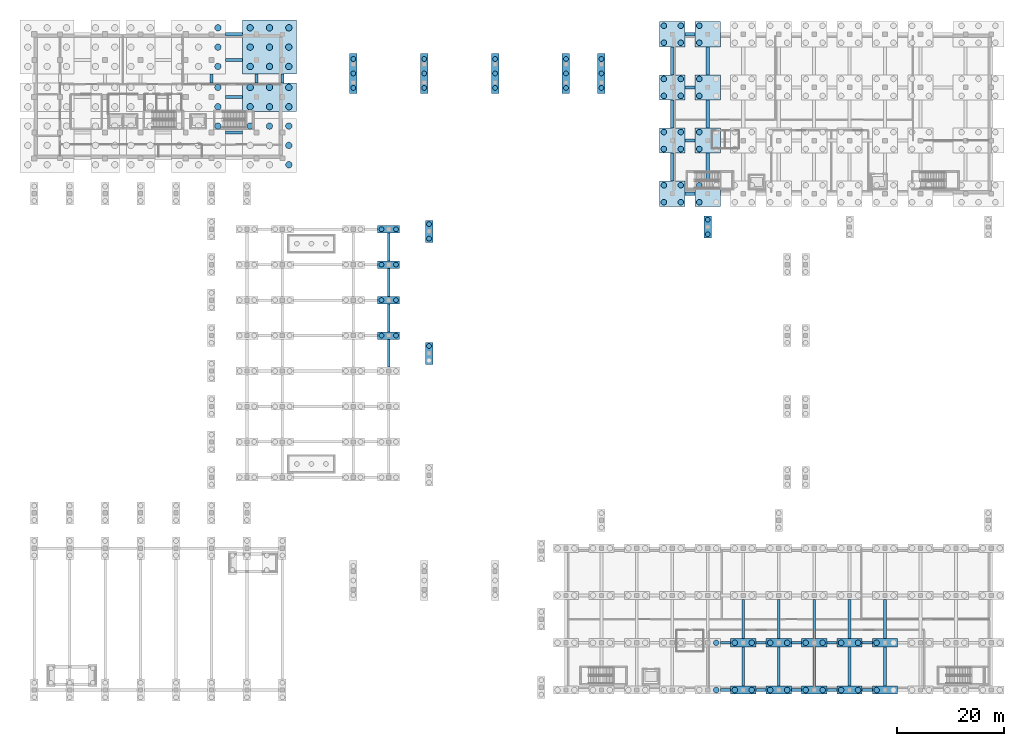
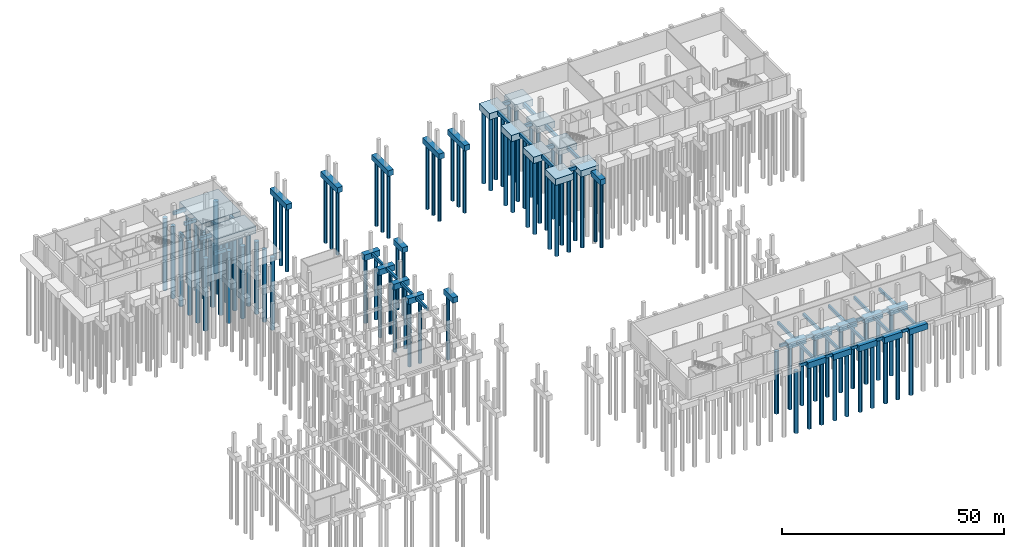
# One storey, part 4 of 23: 98 piles, 73 footings.
"""IFC4 building model written with IfcOpenShell, lengths in metres."""

from ifc_helpers import new_model, si_unit, direction, frame, origin, origin_2d, place, context, subcontext, project, spatial, rectangle, circle, extrude, material, material_profile, profile_set, type_object, element, save


model = new_model("IFC4")

# Units and contexts
model_context = context("Model", 3, precision=1e-05, world=origin(), true_north=direction((0.0, 1.0)))
body_context = subcontext(model_context, "Body", "Model", "MODEL_VIEW")
ifc_project = project(units=[si_unit("LENGTHUNIT", "METRE"), si_unit("AREAUNIT", "SQUARE_METRE"), si_unit("VOLUMEUNIT", "CUBIC_METRE"), si_unit("PLANEANGLEUNIT", "RADIAN"), si_unit("MASSUNIT", "GRAM", prefix="KILO")], contexts=[model_context])

# Site, building, storey
site_placement = place(None, origin())
site = spatial("IfcSite", under=ifc_project, at=site_placement, CompositionType="ELEMENT")
building_placement = place(site_placement, origin())
building = spatial("IfcBuilding", under=site, at=building_placement, Name="Dornvale Research Institute", CompositionType="ELEMENT")
storey_placement = place(building_placement, frame((0.0, 0.0, -5.39990234375)))
storey = spatial("IfcBuildingStorey", under=building, at=storey_placement, Name="B1", CompositionType="ELEMENT", Elevation=-5.39990234375)

# Piles
ifc_material_1 = material(Name="Concrete f'c 35 MPa (C30/37)", Category="concrete")
ifc_material_profile_1 = material_profile(ifc_material_1, circle(Radius=0.52490234375, at=origin_2d()), Name="CIDH PILE D1050")
ifc_profile_set_1 = profile_set([ifc_material_profile_1], Name="Concrete f'c 35 MPa (C30/37)")
pile_type_1 = type_object("IfcPileType", Name="BoredPile_CIDH_1050", PredefinedType="BORED", material=ifc_profile_set_1)
for number, where, z_axis, x_axis, name in (
    (1, (126.97509765625, 0.0, -1.97998046875), (0.0, 0.0, -1.0), (1.0, 0.0, 0.0), "CIDH bored pile P-02 #28"),
    (2, (130.425048828125, 0.0, -1.97998046875), (0.0, 0.0, -1.0), (1.0, 0.0, 0.0), "CIDH bored pile P-02 #29"),
    (3, (133.574951171875, 0.0, -1.97998046875), (0.0, 0.0, -1.0), (1.0, 0.0, 0.0), "CIDH bored pile P-02 #30"),
    (4, (137.02490234375, 0.0, -1.97998046875), (0.0, 0.0, -1.0), (1.0, 0.0, 0.0), "CIDH bored pile P-02 #31"),
    (5, (140.175048828125, 0.0, -1.97998046875), (0.0, 0.0, -1.0), (1.0, 0.0, 0.0), "CIDH bored pile P-02 #32"),
    (6, (143.625, 0.0, -1.97998046875), (0.0, 0.0, -1.0), (1.0, 0.0, 0.0), "CIDH bored pile P-02 #33"),
    (7, (146.77490234375, 0.0, -1.97998046875), (0.0, 0.0, -1.0), (1.0, 0.0, 0.0), "CIDH bored pile P-02 #34"),
    (8, (150.22509765625, 0.0, -1.97998046875), (0.0, 0.0, -1.0), (1.0, 0.0, 0.0), "CIDH bored pile P-02 #35"),
    (9, (153.375, 0.0, -1.97998046875), (0.0, 0.0, -1.0), (1.0, 0.0, 0.0), "CIDH bored pile P-02 #36"),
    (10, (156.824951171875, 0.0, -1.97998046875), (0.0, 0.0, -1.0), (1.0, 0.0, 0.0), "CIDH bored pile P-02 #37"),
    (11, (126.97509765625, 8.804931640625, -1.97998046875), (0.0, 0.0, -1.0), (1.0, 0.0, 0.0), "CIDH bored pile P-02 #54"),
    (12, (130.425048828125, 8.804931640625, -1.97998046875), (0.0, 0.0, -1.0), (1.0, 0.0, 0.0), "CIDH bored pile P-02 #55"),
    (13, (133.574951171875, 8.804931640625, -1.97998046875), (0.0, 0.0, -1.0), (1.0, 0.0, 0.0), "CIDH bored pile P-02 #56"),
    (14, (137.02490234375, 8.804931640625, -1.97998046875), (0.0, 0.0, -1.0), (1.0, 0.0, 0.0), "CIDH bored pile P-02 #57"),
    (15, (140.175048828125, 8.804931640625, -1.97998046875), (0.0, 0.0, -1.0), (1.0, 0.0, 0.0), "CIDH bored pile P-02 #58"),
    (16, (143.625, 8.804931640625, -1.97998046875), (0.0, 0.0, -1.0), (1.0, 0.0, 0.0), "CIDH bored pile P-02 #59"),
    (17, (146.77490234375, 8.804931640625, -1.97998046875), (0.0, 0.0, -1.0), (1.0, 0.0, 0.0), "CIDH bored pile P-02 #60"),
    (18, (150.22509765625, 8.804931640625, -1.97998046875), (0.0, 0.0, -1.0), (1.0, 0.0, 0.0), "CIDH bored pile P-02 #61"),
    (19, (153.375, 8.804931640625, -1.97998046875), (0.0, 0.0, -1.0), (1.0, 0.0, 0.0), "CIDH bored pile P-02 #62"),
    (20, (156.824951171875, 8.804931640625, -1.97998046875), (0.0, 0.0, -1.0), (1.0, 0.0, 0.0), "CIDH bored pile P-02 #63"),
):
    element("IfcPile", number, at=place(storey_placement, frame(where, z_axis=z_axis, x_axis=x_axis)), inside=storey, type_object=pile_type_1, Name=name, PredefinedType="BORED", context=body_context, shape_type="SweptSolid", body=[
        extrude(circle(Radius=0.52490234375, at=origin_2d()), origin(), (0.0, 0.0, 1.0), 17.1201171875),
    ])
for number, where, z_axis, x_axis, name in (
    (21, (117.22509765625, 90.824951171875, -2.130126953125), (0.0, 0.0, -1.0), (1.0, 0.0, 0.0), "CIDH bored pile P-02 #255"),
    (22, (117.22509765625, 93.97509765625, -2.130126953125), (0.0, 0.0, -1.0), (1.0, 0.0, 0.0), "CIDH bored pile P-02 #256"),
    (23, (120.375, 90.824951171875, -2.130126953125), (0.0, 0.0, -1.0), (1.0, 0.0, 0.0), "CIDH bored pile P-02 #257"),
    (24, (120.375, 93.97509765625, -2.130126953125), (0.0, 0.0, -1.0), (1.0, 0.0, 0.0), "CIDH bored pile P-02 #258"),
    (25, (123.824951171875, 90.824951171875, -2.130126953125), (0.0, 0.0, -1.0), (1.0, 0.0, 0.0), "CIDH bored pile P-02 #259"),
    (26, (123.824951171875, 93.97509765625, -2.130126953125), (0.0, 0.0, -1.0), (1.0, 0.0, 0.0), "CIDH bored pile P-02 #260"),
    (27, (117.22509765625, 100.72509765625, -2.130126953125), (0.0, 0.0, -1.0), (1.0, 0.0, 0.0), "CIDH bored pile P-02 #346"),
    (28, (117.22509765625, 103.875, -2.130126953125), (0.0, 0.0, -1.0), (1.0, 0.0, 0.0), "CIDH bored pile P-02 #347"),
    (29, (120.375, 100.72509765625, -2.130126953125), (0.0, 0.0, -1.0), (1.0, 0.0, 0.0), "CIDH bored pile P-02 #348"),
    (30, (120.375, 103.875, -2.130126953125), (0.0, 0.0, -1.0), (1.0, 0.0, 0.0), "CIDH bored pile P-02 #349"),
    (31, (123.824951171875, 100.72509765625, -2.130126953125), (0.0, 0.0, -1.0), (1.0, 0.0, 0.0), "CIDH bored pile P-02 #350"),
    (32, (123.824951171875, 103.875, -2.130126953125), (0.0, 0.0, -1.0), (1.0, 0.0, 0.0), "CIDH bored pile P-02 #351"),
    (33, (117.22509765625, 110.625, -2.130126953125), (0.0, 0.0, -1.0), (1.0, 0.0, 0.0), "CIDH bored pile P-02 #410"),
    (34, (117.22509765625, 113.77490234375, -2.130126953125), (0.0, 0.0, -1.0), (1.0, 0.0, 0.0), "CIDH bored pile P-02 #411"),
    (35, (120.375, 110.625, -2.130126953125), (0.0, 0.0, -1.0), (1.0, 0.0, 0.0), "CIDH bored pile P-02 #412"),
    (36, (120.375, 113.77490234375, -2.130126953125), (0.0, 0.0, -1.0), (1.0, 0.0, 0.0), "CIDH bored pile P-02 #413"),
    (37, (123.824951171875, 110.625, -2.130126953125), (0.0, 0.0, -1.0), (1.0, 0.0, 0.0), "CIDH bored pile P-02 #414"),
    (38, (123.824951171875, 113.77490234375, -2.130126953125), (0.0, 0.0, -1.0), (1.0, 0.0, 0.0), "CIDH bored pile P-02 #415"),
    (39, (117.22509765625, 120.52490234375, -2.130126953125), (0.0, 0.0, -1.0), (1.0, 0.0, 0.0), "CIDH bored pile P-02 #487"),
    (40, (117.22509765625, 123.675048828125, -2.130126953125), (0.0, 0.0, -1.0), (1.0, 0.0, 0.0), "CIDH bored pile P-02 #488"),
    (41, (120.375, 120.52490234375, -2.130126953125), (0.0, 0.0, -1.0), (1.0, 0.0, 0.0), "CIDH bored pile P-02 #489"),
    (42, (120.375, 123.675048828125, -2.130126953125), (0.0, 0.0, -1.0), (1.0, 0.0, 0.0), "CIDH bored pile P-02 #490"),
    (43, (123.824951171875, 120.52490234375, -2.130126953125), (0.0, 0.0, -1.0), (1.0, 0.0, 0.0), "CIDH bored pile P-02 #491"),
    (44, (123.824951171875, 123.675048828125, -2.130126953125), (0.0, 0.0, -1.0), (1.0, 0.0, 0.0), "CIDH bored pile P-02 #492"),
):
    element("IfcPile", number, at=place(storey_placement, frame(where, z_axis=z_axis, x_axis=x_axis)), inside=storey, type_object=pile_type_1, Name=name, PredefinedType="BORED", context=body_context, shape_type="SweptSolid", body=[
        extrude(circle(Radius=0.52490234375, at=origin_2d()), origin(), (0.0, 0.0, 1.0), 19.969970703125),
    ])
ifc_material_2 = material(Name="Concrete f'c 35 MPa (C30/37)", Category="concrete")
ifc_material_profile_2 = material_profile(ifc_material_2, circle(Radius=0.60009765625, at=origin_2d()), Name="CIDH PILE D1200")
ifc_profile_set_2 = profile_set([ifc_material_profile_2], Name="Concrete f'c 35 MPa (C30/37)")
pile_type_2 = type_object("IfcPileType", Name="BoredPile_CIDH_1200", PredefinedType="BORED", material=ifc_profile_set_2)
for number, where, z_axis, x_axis, name in (
    (45, (34.199951171875, 105.0, -2.280029296875), (0.0, 0.0, -1.0), (1.0, 0.0, 0.0), "CIDH bored pile P-01 #336"),
    (46, (40.199951171875, 105.0, -2.280029296875), (0.0, 0.0, -1.0), (1.0, 0.0, 0.0), "CIDH bored pile P-01 #339"),
    (47, (43.800048828125, 105.0, -2.280029296875), (0.0, 0.0, -1.0), (1.0, 0.0, 0.0), "CIDH bored pile P-01 #342"),
    (48, (47.39990234375, 97.800048828125, -2.280029296875), (0.0, 0.0, -1.0), (1.0, 0.0, 0.0), "CIDH bored pile P-01 #343"),
    (49, (47.39990234375, 101.39990234375, -2.280029296875), (0.0, 0.0, -1.0), (1.0, 0.0, 0.0), "CIDH bored pile P-01 #344"),
    (50, (47.39990234375, 105.0, -2.280029296875), (0.0, 0.0, -1.0), (1.0, 0.0, 0.0), "CIDH bored pile P-01 #345"),
    (51, (34.199951171875, 108.60009765625, -2.280029296875), (0.0, 0.0, -1.0), (1.0, 0.0, 0.0), "CIDH bored pile P-01 #402"),
    (52, (34.199951171875, 112.199951171875, -2.280029296875), (0.0, 0.0, -1.0), (1.0, 0.0, 0.0), "CIDH bored pile P-01 #403"),
    (53, (40.199951171875, 108.60009765625, -2.280029296875), (0.0, 0.0, -1.0), (1.0, 0.0, 0.0), "CIDH bored pile P-01 #404"),
    (54, (40.199951171875, 112.199951171875, -2.280029296875), (0.0, 0.0, -1.0), (1.0, 0.0, 0.0), "CIDH bored pile P-01 #405"),
    (55, (43.800048828125, 108.60009765625, -2.280029296875), (0.0, 0.0, -1.0), (1.0, 0.0, 0.0), "CIDH bored pile P-01 #406"),
    (56, (43.800048828125, 112.199951171875, -2.280029296875), (0.0, 0.0, -1.0), (1.0, 0.0, 0.0), "CIDH bored pile P-01 #407"),
    (57, (47.39990234375, 108.60009765625, -2.280029296875), (0.0, 0.0, -1.0), (1.0, 0.0, 0.0), "CIDH bored pile P-01 #408"),
    (58, (47.39990234375, 112.199951171875, -2.280029296875), (0.0, 0.0, -1.0), (1.0, 0.0, 0.0), "CIDH bored pile P-01 #409"),
    (59, (34.199951171875, 116.10009765625, -2.280029296875), (0.0, 0.0, -1.0), (1.0, 0.0, 0.0), "CIDH bored pile P-01 #475"),
    (60, (34.199951171875, 119.699951171875, -2.280029296875), (0.0, 0.0, -1.0), (1.0, 0.0, 0.0), "CIDH bored pile P-01 #476"),
    (61, (34.199951171875, 123.300048828125, -2.280029296875), (0.0, 0.0, -1.0), (1.0, 0.0, 0.0), "CIDH bored pile P-01 #477"),
    (62, (40.199951171875, 116.10009765625, -2.280029296875), (0.0, 0.0, -1.0), (1.0, 0.0, 0.0), "CIDH bored pile P-01 #478"),
    (63, (40.199951171875, 119.699951171875, -2.280029296875), (0.0, 0.0, -1.0), (1.0, 0.0, 0.0), "CIDH bored pile P-01 #479"),
    (64, (40.199951171875, 123.300048828125, -2.280029296875), (0.0, 0.0, -1.0), (1.0, 0.0, 0.0), "CIDH bored pile P-01 #480"),
    (65, (43.800048828125, 116.10009765625, -2.280029296875), (0.0, 0.0, -1.0), (1.0, 0.0, 0.0), "CIDH bored pile P-01 #481"),
    (66, (43.800048828125, 119.699951171875, -2.280029296875), (0.0, 0.0, -1.0), (1.0, 0.0, 0.0), "CIDH bored pile P-01 #482"),
    (67, (43.800048828125, 123.300048828125, -2.280029296875), (0.0, 0.0, -1.0), (1.0, 0.0, 0.0), "CIDH bored pile P-01 #483"),
    (68, (47.39990234375, 116.10009765625, -2.280029296875), (0.0, 0.0, -1.0), (1.0, 0.0, 0.0), "CIDH bored pile P-01 #484"),
    (69, (47.39990234375, 119.699951171875, -2.280029296875), (0.0, 0.0, -1.0), (1.0, 0.0, 0.0), "CIDH bored pile P-01 #485"),
    (70, (47.39990234375, 123.300048828125, -2.280029296875), (0.0, 0.0, -1.0), (1.0, 0.0, 0.0), "CIDH bored pile P-01 #486"),
):
    element("IfcPile", number, at=place(storey_placement, frame(where, z_axis=z_axis, x_axis=x_axis)), inside=storey, type_object=pile_type_2, Name=name, PredefinedType="BORED", context=body_context, shape_type="SweptSolid", body=[
        extrude(circle(Radius=0.60009765625, at=origin_2d()), origin(), (0.0, 0.0, 1.0), 19.820068359375),
    ])
ifc_material_3 = material(Name="Concrete f'c 35 MPa (C30/37)", Category="concrete")
ifc_material_profile_3 = material_profile(ifc_material_3, circle(Radius=0.449951171875, at=origin_2d()), Name="CIDH PILE D900")
ifc_profile_set_3 = profile_set([ifc_material_profile_3], Name="Concrete f'c 35 MPa (C30/37)")
pile_type_3 = type_object("IfcPileType", Name="BoredPile_CIDH_900", PredefinedType="BORED", material=ifc_profile_set_3)
pile_placement = place(storey_placement, frame((73.5, 64.050048828125, -1.380126953125), z_axis=(0.0, 0.0, -1.0), x_axis=(1.0, 0.0, 0.0)))
element("IfcPile", 71, at=pile_placement, inside=storey, type_object=pile_type_3, Name="CIDH bored pile P-03 #206", PredefinedType="BORED", context=body_context, shape_type="SweptSolid", body=[
    extrude(circle(Radius=0.449951171875, at=origin_2d()), origin(), (0.0, 0.0, 1.0), 17.719970703125),
])
for number, where, z_axis, x_axis, name in (
    (72, (64.64990234375, 66.0, -1.47998046875), (0.0, 0.0, -1.0), (1.0, 0.0, 0.0), "CIDH bored pile P-03 #215"),
    (73, (67.35009765625, 66.0, -1.47998046875), (0.0, 0.0, -1.0), (1.0, 0.0, 0.0), "CIDH bored pile P-03 #216"),
    (74, (64.64990234375, 72.60009765625, -1.47998046875), (0.0, 0.0, -1.0), (1.0, 0.0, 0.0), "CIDH bored pile P-03 #225"),
    (75, (67.35009765625, 72.60009765625, -1.47998046875), (0.0, 0.0, -1.0), (1.0, 0.0, 0.0), "CIDH bored pile P-03 #226"),
    (76, (64.64990234375, 79.199951171875, -1.47998046875), (0.0, 0.0, -1.0), (1.0, 0.0, 0.0), "CIDH bored pile P-03 #235"),
    (77, (67.35009765625, 79.199951171875, -1.47998046875), (0.0, 0.0, -1.0), (1.0, 0.0, 0.0), "CIDH bored pile P-03 #236"),
):
    element("IfcPile", number, at=place(storey_placement, frame(where, z_axis=z_axis, x_axis=x_axis)), inside=storey, type_object=pile_type_3, Name=name, PredefinedType="BORED", context=body_context, shape_type="SweptSolid", body=[
        extrude(circle(Radius=0.449951171875, at=origin_2d()), origin(), (0.0, 0.0, 1.0), 17.6201171875),
    ])
for number, where, z_axis, x_axis, name in (
    (78, (73.5, 84.050048828125, -1.380126953125), (0.0, 0.0, -1.0), (1.0, 0.0, 0.0), "CIDH bored pile P-03 #237"),
    (79, (73.5, 86.75, -1.380126953125), (0.0, 0.0, -1.0), (1.0, 0.0, 0.0), "CIDH bored pile P-03 #238"),
    (80, (125.39990234375, 84.85009765625, -1.380126953125), (0.0, 0.0, -1.0), (1.0, 0.0, 0.0), "CIDH bored pile P-03 #241"),
    (81, (125.39990234375, 87.550048828125, -1.380126953125), (0.0, 0.0, -1.0), (1.0, 0.0, 0.0), "CIDH bored pile P-03 #242"),
):
    element("IfcPile", number, at=place(storey_placement, frame(where, z_axis=z_axis, x_axis=x_axis)), inside=storey, type_object=pile_type_3, Name=name, PredefinedType="BORED", context=body_context, shape_type="SweptSolid", body=[
        extrude(circle(Radius=0.449951171875, at=origin_2d()), origin(), (0.0, 0.0, 1.0), 17.719970703125),
    ])
for number, where, z_axis, x_axis, name in (
    (82, (64.64990234375, 85.800048828125, -1.47998046875), (0.0, 0.0, -1.0), (1.0, 0.0, 0.0), "CIDH bored pile P-03 #253"),
    (83, (67.35009765625, 85.800048828125, -1.47998046875), (0.0, 0.0, -1.0), (1.0, 0.0, 0.0), "CIDH bored pile P-03 #254"),
):
    element("IfcPile", number, at=place(storey_placement, frame(where, z_axis=z_axis, x_axis=x_axis)), inside=storey, type_object=pile_type_3, Name=name, PredefinedType="BORED", context=body_context, shape_type="SweptSolid", body=[
        extrude(circle(Radius=0.449951171875, at=origin_2d()), origin(), (0.0, 0.0, 1.0), 17.6201171875),
    ])
for number, where, z_axis, x_axis, name in (
    (84, (59.39990234375, 112.10009765625, -1.380126953125), (0.0, 0.0, -1.0), (1.0, 0.0, 0.0), "Bridge CIDH bored pile P-03 #26"),
    (85, (59.39990234375, 114.800048828125, -1.380126953125), (0.0, 0.0, -1.0), (1.0, 0.0, 0.0), "Bridge CIDH bored pile P-03 #27"),
    (86, (59.39990234375, 117.5, -1.380126953125), (0.0, 0.0, -1.0), (1.0, 0.0, 0.0), "Bridge CIDH bored pile P-03 #28"),
    (87, (72.60009765625, 112.10009765625, -1.380126953125), (0.0, 0.0, -1.0), (1.0, 0.0, 0.0), "Bridge CIDH bored pile P-03 #29"),
    (88, (72.60009765625, 114.800048828125, -1.380126953125), (0.0, 0.0, -1.0), (1.0, 0.0, 0.0), "Bridge CIDH bored pile P-03 #30"),
    (89, (72.60009765625, 117.5, -1.380126953125), (0.0, 0.0, -1.0), (1.0, 0.0, 0.0), "Bridge CIDH bored pile P-03 #31"),
    (90, (85.800048828125, 112.10009765625, -1.380126953125), (0.0, 0.0, -1.0), (1.0, 0.0, 0.0), "Bridge CIDH bored pile P-03 #32"),
    (91, (85.800048828125, 114.800048828125, -1.380126953125), (0.0, 0.0, -1.0), (1.0, 0.0, 0.0), "Bridge CIDH bored pile P-03 #33"),
    (92, (85.800048828125, 117.5, -1.380126953125), (0.0, 0.0, -1.0), (1.0, 0.0, 0.0), "Bridge CIDH bored pile P-03 #34"),
    (93, (99.0, 112.10009765625, -1.380126953125), (0.0, 0.0, -1.0), (1.0, 0.0, 0.0), "Bridge CIDH bored pile P-03 #35"),
    (94, (99.0, 114.800048828125, -1.380126953125), (0.0, 0.0, -1.0), (1.0, 0.0, 0.0), "Bridge CIDH bored pile P-03 #36"),
    (95, (99.0, 117.5, -1.380126953125), (0.0, 0.0, -1.0), (1.0, 0.0, 0.0), "Bridge CIDH bored pile P-03 #37"),
    (96, (105.60009765625, 112.10009765625, -1.380126953125), (0.0, 0.0, -1.0), (1.0, 0.0, 0.0), "Bridge CIDH bored pile P-03 #38"),
    (97, (105.60009765625, 114.800048828125, -1.380126953125), (0.0, 0.0, -1.0), (1.0, 0.0, 0.0), "Bridge CIDH bored pile P-03 #39"),
    (98, (105.60009765625, 117.5, -1.380126953125), (0.0, 0.0, -1.0), (1.0, 0.0, 0.0), "Bridge CIDH bored pile P-03 #40"),
):
    element("IfcPile", number, at=place(storey_placement, frame(where, z_axis=z_axis, x_axis=x_axis)), inside=storey, type_object=pile_type_3, Name=name, PredefinedType="BORED", context=body_context, shape_type="SweptSolid", body=[
        extrude(circle(Radius=0.449951171875, at=origin_2d()), origin(), (0.0, 0.0, 1.0), 17.719970703125),
    ])

# Footings
ifc_material_4 = material(Name="Concrete f'c 35 MPa (C30/37)", Category="concrete")
footing_type_1 = type_object("IfcFootingType", Name="FootingBeam_Tie_500x800", PredefinedType="FOOTING_BEAM", material=ifc_material_4)
for number, where, z_axis, x_axis, name in (
    (99, (128.699951171875, 0.0, -1.30029296875), (0.0, 0.0, 1.0), (1.0, 0.0, 0.0), "Seismic tie beam #90"),
    (100, (135.300048828125, 0.0, -1.30029296875), (0.0, 0.0, 1.0), (1.0, 0.0, 0.0), "Seismic tie beam #91"),
    (101, (141.89990234375, 0.0, -1.30029296875), (0.0, 0.0, 1.0), (1.0, 0.0, 0.0), "Seismic tie beam #92"),
    (102, (148.5, 0.0, -1.30029296875), (0.0, 0.0, 1.0), (1.0, 0.0, 0.0), "Seismic tie beam #93"),
    (103, (155.10009765625, 0.0, -1.30029296875), (0.0, 0.0, 1.0), (1.0, 0.0, 0.0), "Seismic tie beam #94"),
    (104, (128.699951171875, 8.800048828125, -1.30029296875), (0.0, 0.0, 1.0), (1.0, 0.0, 0.0), "Seismic tie beam #102"),
    (105, (135.300048828125, 8.800048828125, -1.30029296875), (0.0, 0.0, 1.0), (1.0, 0.0, 0.0), "Seismic tie beam #103"),
    (106, (141.89990234375, 8.800048828125, -1.30029296875), (0.0, 0.0, 1.0), (1.0, 0.0, 0.0), "Seismic tie beam #104"),
    (107, (148.5, 8.800048828125, -1.30029296875), (0.0, 0.0, 1.0), (1.0, 0.0, 0.0), "Seismic tie beam #105"),
    (108, (155.10009765625, 8.800048828125, -1.30029296875), (0.0, 0.0, 1.0), (1.0, 0.0, 0.0), "Seismic tie beam #106"),
):
    element("IfcFooting", number, at=place(storey_placement, frame(where, z_axis=z_axis, x_axis=x_axis)), inside=storey, type_object=footing_type_1, Name=name, PredefinedType="FOOTING_BEAM", context=body_context, shape_type="SweptSolid", body=[
        extrude(rectangle(XDim=1.89990234375, YDim=0.5, at=origin_2d()), origin(), (0.0, 0.0, 1.0), 0.800048828125),
    ])
for number, where, z_axis, x_axis, name in (
    (109, (132.0, 4.405029296875, -1.30029296875), (0.0, 0.0, 1.0), (0.0, 1.0, 0.0), "Seismic tie beam #149"),
    (110, (132.0, 13.205078125, -1.30029296875), (0.0, 0.0, 1.0), (0.0, 1.0, 0.0), "Seismic tie beam #150"),
    (111, (138.60009765625, 4.405029296875, -1.30029296875), (0.0, 0.0, 1.0), (0.0, 1.0, 0.0), "Seismic tie beam #152"),
    (112, (138.60009765625, 13.205078125, -1.30029296875), (0.0, 0.0, 1.0), (0.0, 1.0, 0.0), "Seismic tie beam #153"),
    (113, (145.199951171875, 4.405029296875, -1.30029296875), (0.0, 0.0, 1.0), (0.0, 1.0, 0.0), "Seismic tie beam #155"),
    (114, (145.199951171875, 13.205078125, -1.30029296875), (0.0, 0.0, 1.0), (0.0, 1.0, 0.0), "Seismic tie beam #156"),
    (115, (151.800048828125, 4.405029296875, -1.30029296875), (0.0, 0.0, 1.0), (0.0, 1.0, 0.0), "Seismic tie beam #158"),
    (116, (151.800048828125, 13.205078125, -1.30029296875), (0.0, 0.0, 1.0), (0.0, 1.0, 0.0), "Seismic tie beam #159"),
    (117, (158.39990234375, 4.405029296875, -1.30029296875), (0.0, 0.0, 1.0), (0.0, 1.0, 0.0), "Seismic tie beam #161"),
    (118, (158.39990234375, 13.205078125, -1.30029296875), (0.0, 0.0, 1.0), (0.0, 1.0, 0.0), "Seismic tie beam #162"),
):
    element("IfcFooting", number, at=place(storey_placement, frame(where, z_axis=z_axis, x_axis=x_axis)), inside=storey, type_object=footing_type_1, Name=name, PredefinedType="FOOTING_BEAM", context=body_context, shape_type="SweptSolid", body=[
        extrude(rectangle(XDim=7.25, YDim=0.5, at=origin_2d()), origin(), (0.0, 0.0, 1.0), 0.800048828125),
    ])
for number, where, z_axis, x_axis, name in (
    (119, (66.0, 62.699951171875, -0.80029296875), (0.0, 0.0, 1.0), (0.0, 1.0, 0.0), "Seismic tie beam #221"),
    (120, (66.0, 69.300048828125, -0.80029296875), (0.0, 0.0, 1.0), (0.0, 1.0, 0.0), "Seismic tie beam #222"),
    (121, (66.0, 75.89990234375, -0.80029296875), (0.0, 0.0, 1.0), (0.0, 1.0, 0.0), "Seismic tie beam #223"),
    (122, (66.0, 82.5, -0.80029296875), (0.0, 0.0, 1.0), (0.0, 1.0, 0.0), "Seismic tie beam #224"),
):
    element("IfcFooting", number, at=place(storey_placement, frame(where, z_axis=z_axis, x_axis=x_axis)), inside=storey, type_object=footing_type_1, Name=name, PredefinedType="FOOTING_BEAM", context=body_context, shape_type="SweptSolid", body=[
        extrude(rectangle(XDim=5.199951171875, YDim=0.5, at=origin_2d()), origin(), (0.0, 0.0, 1.0), 0.800048828125),
    ])
ifc_material_5 = material(Name="Concrete f'c 35 MPa (C30/37)", Category="concrete")
footing_type_2 = type_object("IfcFootingType", Name="FootingBeam_Tie_600x900", PredefinedType="FOOTING_BEAM", material=ifc_material_5)
for number, where, z_axis, x_axis, name in (
    (123, (37.199951171875, 103.800048828125, -1.400146484375), (0.0, 0.0, 1.0), (1.0, 0.0, 0.0), "Seismic tie beam #6"),
    (124, (37.199951171875, 110.39990234375, -1.400146484375), (0.0, 0.0, 1.0), (1.0, 0.0, 0.0), "Seismic tie beam #9"),
    (125, (37.199951171875, 117.300048828125, -1.400146484375), (0.0, 0.0, 1.0), (1.0, 0.0, 0.0), "Seismic tie beam #12"),
    (126, (37.199951171875, 122.10009765625, -1.400146484375), (0.0, 0.0, 1.0), (1.0, 0.0, 0.0), "Seismic tie beam #15"),
):
    element("IfcFooting", number, at=place(storey_placement, frame(where, z_axis=z_axis, x_axis=x_axis)), inside=storey, type_object=footing_type_2, Name=name, PredefinedType="FOOTING_BEAM", context=body_context, shape_type="SweptSolid", body=[
        extrude(rectangle(XDim=3.10009765625, YDim=0.60009765625, at=origin_2d()), origin(), (0.0, 0.0, 1.0), 0.89990234375),
    ])
for number, where, z_axis, x_axis, name in (
    (127, (33.0, 113.85009765625, -1.400146484375), (0.0, 0.0, 1.0), (0.0, 1.0, 0.0), "Seismic tie beam #21"),
    (128, (41.39990234375, 113.85009765625, -1.400146484375), (0.0, 0.0, 1.0), (0.0, 1.0, 0.0), "Seismic tie beam #22"),
    (129, (46.199951171875, 113.85009765625, -1.400146484375), (0.0, 0.0, 1.0), (0.0, 1.0, 0.0), "Seismic tie beam #23"),
):
    element("IfcFooting", number, at=place(storey_placement, frame(where, z_axis=z_axis, x_axis=x_axis)), inside=storey, type_object=footing_type_2, Name=name, PredefinedType="FOOTING_BEAM", context=body_context, shape_type="SweptSolid", body=[
        extrude(rectangle(XDim=1.60009765625, YDim=0.60009765625, at=origin_2d()), origin(), (0.0, 0.0, 1.0), 0.89990234375),
    ])
for number, where, z_axis, x_axis, name in (
    (130, (122.10009765625, 92.39990234375, -1.400146484375), (0.0, 0.0, 1.0), (1.0, 0.0, 0.0), "Seismic tie beam #24"),
    (131, (122.10009765625, 102.300048828125, -1.400146484375), (0.0, 0.0, 1.0), (1.0, 0.0, 0.0), "Seismic tie beam #32"),
    (132, (122.10009765625, 112.199951171875, -1.400146484375), (0.0, 0.0, 1.0), (1.0, 0.0, 0.0), "Seismic tie beam #40"),
    (133, (122.10009765625, 122.10009765625, -1.400146484375), (0.0, 0.0, 1.0), (1.0, 0.0, 0.0), "Seismic tie beam #48"),
):
    element("IfcFooting", number, at=place(storey_placement, frame(where, z_axis=z_axis, x_axis=x_axis)), inside=storey, type_object=footing_type_2, Name=name, PredefinedType="FOOTING_BEAM", context=body_context, shape_type="SweptSolid", body=[
        extrude(rectangle(XDim=1.89990234375, YDim=0.60009765625, at=origin_2d()), origin(), (0.0, 0.0, 1.0), 0.89990234375),
    ])
for number, where, z_axis, x_axis, name in (
    (134, (118.800048828125, 97.35009765625, -1.400146484375), (0.0, 0.0, 1.0), (0.0, 1.0, 0.0), "Seismic tie beam #56"),
    (135, (118.800048828125, 107.25, -1.400146484375), (0.0, 0.0, 1.0), (0.0, 1.0, 0.0), "Seismic tie beam #57"),
    (136, (118.800048828125, 117.14990234375, -1.400146484375), (0.0, 0.0, 1.0), (0.0, 1.0, 0.0), "Seismic tie beam #58"),
    (137, (125.39990234375, 97.35009765625, -1.400146484375), (0.0, 0.0, 1.0), (0.0, 1.0, 0.0), "Seismic tie beam #59"),
    (138, (125.39990234375, 107.25, -1.400146484375), (0.0, 0.0, 1.0), (0.0, 1.0, 0.0), "Seismic tie beam #60"),
    (139, (125.39990234375, 117.14990234375, -1.400146484375), (0.0, 0.0, 1.0), (0.0, 1.0, 0.0), "Seismic tie beam #61"),
):
    element("IfcFooting", number, at=place(storey_placement, frame(where, z_axis=z_axis, x_axis=x_axis)), inside=storey, type_object=footing_type_2, Name=name, PredefinedType="FOOTING_BEAM", context=body_context, shape_type="SweptSolid", body=[
        extrude(rectangle(XDim=5.199951171875, YDim=0.60009765625, at=origin_2d()), origin(), (0.0, 0.0, 1.0), 0.89990234375),
    ])
ifc_material_6 = material(Name="Concrete f'c 35 MPa (C30/37)", Category="concrete")
footing_type_3 = type_object("IfcFootingType", Name="PileCap_10100x10100x1900", PredefinedType="PILE_CAP", material=ifc_material_6)
footing_1_placement = place(storey_placement, frame((43.800048828125, 119.699951171875, -2.400146484375), z_axis=(0.0, 0.0, 1.0), x_axis=(1.0, 0.0, 0.0)))
element("IfcFooting", 140, at=footing_1_placement, inside=storey, type_object=footing_type_3, Name="Pile cap PC-07 #176", PredefinedType="PILE_CAP", context=body_context, shape_type="SweptSolid", body=[
    extrude(rectangle(XDim=10.10009765625, YDim=10.10009765625, at=origin_2d()), origin(), (0.0, 0.0, 1.0), 1.89990234375),
])
ifc_material_7 = material(Name="Concrete f'c 35 MPa (C30/37)", Category="concrete")
footing_type_4 = type_object("IfcFootingType", Name="PileCap_10100x5300x1900", PredefinedType="PILE_CAP", material=ifc_material_7)
footing_2_placement = place(storey_placement, frame((43.800048828125, 110.39990234375, -2.400146484375), z_axis=(0.0, 0.0, 1.0), x_axis=(1.0, 0.0, 0.0)))
element("IfcFooting", 141, at=footing_2_placement, inside=storey, type_object=footing_type_4, Name="Pile cap PC-09 #162", PredefinedType="PILE_CAP", context=body_context, shape_type="SweptSolid", body=[
    extrude(rectangle(XDim=10.10009765625, YDim=5.300048828125, at=origin_2d()), origin(), (0.0, 0.0, 1.0), 1.89990234375),
])
ifc_material_8 = material(Name="Concrete f'c 35 MPa (C30/37)", Category="concrete")
footing_type_5 = type_object("IfcFootingType", Name="PileCap_1400x4100x1500", PredefinedType="PILE_CAP", material=ifc_material_8)
for number, where, z_axis, x_axis, name in (
    (142, (73.5, 62.699951171875, -1.5), (0.0, 0.0, 1.0), (1.0, 0.0, 0.0), "Pile cap PC-01 #103"),
    (143, (73.5, 85.39990234375, -1.5), (0.0, 0.0, 1.0), (1.0, 0.0, 0.0), "Pile cap PC-01 #119"),
    (144, (125.39990234375, 86.199951171875, -1.5), (0.0, 0.0, 1.0), (1.0, 0.0, 0.0), "Pile cap PC-01 #121"),
):
    element("IfcFooting", number, at=place(storey_placement, frame(where, z_axis=z_axis, x_axis=x_axis)), inside=storey, type_object=footing_type_5, Name=name, PredefinedType="PILE_CAP", context=body_context, shape_type="SweptSolid", body=[
        extrude(rectangle(XDim=1.39990234375, YDim=4.10009765625, at=origin_2d()), origin(), (0.0, 0.0, 1.0), 1.5),
    ])
ifc_material_9 = material(Name="Concrete f'c 35 MPa (C30/37)", Category="concrete")
footing_type_6 = type_object("IfcFootingType", Name="PileCap_1400x7500x1500", PredefinedType="PILE_CAP", material=ifc_material_9)
for number, where, z_axis, x_axis, name in (
    (145, (59.39990234375, 114.800048828125, -1.5), (0.0, 0.0, 1.0), (1.0, 0.0, 0.0), "Bridge pier pile cap PC-11 #12"),
    (146, (72.60009765625, 114.800048828125, -1.5), (0.0, 0.0, 1.0), (1.0, 0.0, 0.0), "Bridge pier pile cap PC-11 #13"),
    (147, (85.800048828125, 114.800048828125, -1.5), (0.0, 0.0, 1.0), (1.0, 0.0, 0.0), "Bridge pier pile cap PC-11 #14"),
    (148, (99.0, 114.800048828125, -1.5), (0.0, 0.0, 1.0), (1.0, 0.0, 0.0), "Bridge pier pile cap PC-11 #15"),
    (149, (105.60009765625, 114.800048828125, -1.5), (0.0, 0.0, 1.0), (1.0, 0.0, 0.0), "Bridge pier pile cap PC-11 #16"),
):
    element("IfcFooting", number, at=place(storey_placement, frame(where, z_axis=z_axis, x_axis=x_axis)), inside=storey, type_object=footing_type_6, Name=name, PredefinedType="PILE_CAP", context=body_context, shape_type="SweptSolid", body=[
        extrude(rectangle(XDim=1.39990234375, YDim=7.5, at=origin_2d()), origin(), (0.0, 0.0, 1.0), 1.5),
    ])
ifc_material_10 = material(Name="Concrete f'c 35 MPa (C30/37)", Category="concrete")
footing_type_7 = type_object("IfcFootingType", Name="PileCap_4100x1400x1600", PredefinedType="PILE_CAP", material=ifc_material_10)
for number, where, z_axis, x_axis, name in (
    (150, (66.0, 66.0, -1.60009765625), (0.0, 0.0, 1.0), (1.0, 0.0, 0.0), "Pile cap PC-04 #108"),
    (151, (66.0, 72.60009765625, -1.60009765625), (0.0, 0.0, 1.0), (1.0, 0.0, 0.0), "Pile cap PC-04 #113"),
    (152, (66.0, 79.199951171875, -1.60009765625), (0.0, 0.0, 1.0), (1.0, 0.0, 0.0), "Pile cap PC-04 #118"),
    (153, (66.0, 85.800048828125, -1.60009765625), (0.0, 0.0, 1.0), (1.0, 0.0, 0.0), "Pile cap PC-04 #127"),
):
    element("IfcFooting", number, at=place(storey_placement, frame(where, z_axis=z_axis, x_axis=x_axis)), inside=storey, type_object=footing_type_7, Name=name, PredefinedType="PILE_CAP", context=body_context, shape_type="SweptSolid", body=[
        extrude(rectangle(XDim=4.10009765625, YDim=1.39990234375, at=origin_2d()), origin(), (0.0, 0.0, 1.0), 1.60009765625),
    ])
ifc_material_11 = material(Name="Concrete f'c 35 MPa (C30/37)", Category="concrete")
footing_type_8 = type_object("IfcFootingType", Name="PileCap_4700x1550x1600", PredefinedType="PILE_CAP", material=ifc_material_11)
for number, where, z_axis, x_axis, name in (
    (154, (132.0, 8.804931640625, -2.10009765625), (0.0, 0.0, 1.0), (1.0, 0.0, 0.0), "Pile cap PC-03 #28"),
    (155, (138.60009765625, 8.804931640625, -2.10009765625), (0.0, 0.0, 1.0), (1.0, 0.0, 0.0), "Pile cap PC-03 #29"),
    (156, (145.199951171875, 8.804931640625, -2.10009765625), (0.0, 0.0, 1.0), (1.0, 0.0, 0.0), "Pile cap PC-03 #30"),
    (157, (151.800048828125, 8.804931640625, -2.10009765625), (0.0, 0.0, 1.0), (1.0, 0.0, 0.0), "Pile cap PC-03 #31"),
    (158, (158.39990234375, 8.804931640625, -2.10009765625), (0.0, 0.0, 1.0), (1.0, 0.0, 0.0), "Pile cap PC-03 #32"),
):
    element("IfcFooting", number, at=place(storey_placement, frame(where, z_axis=z_axis, x_axis=x_axis)), inside=storey, type_object=footing_type_8, Name=name, PredefinedType="PILE_CAP", context=body_context, shape_type="SweptSolid", body=[
        extrude(rectangle(XDim=4.699951171875, YDim=1.550048828125, at=origin_2d()), origin(), (0.0, 0.0, 1.0), 1.60009765625),
    ])
ifc_material_12 = material(Name="Concrete f'c 35 MPa (C30/37)", Category="concrete")
footing_type_9 = type_object("IfcFootingType", Name="PileCap_4700x1560x1600", PredefinedType="PILE_CAP", material=ifc_material_12)
for number, where, z_axis, x_axis, name in (
    (159, (132.0, 0.0, -2.10009765625), (0.0, 0.0, 1.0), (1.0, 0.0, 0.0), "Pile cap PC-02 #15"),
    (160, (138.60009765625, 0.0, -2.10009765625), (0.0, 0.0, 1.0), (1.0, 0.0, 0.0), "Pile cap PC-02 #16"),
    (161, (145.199951171875, 0.0, -2.10009765625), (0.0, 0.0, 1.0), (1.0, 0.0, 0.0), "Pile cap PC-02 #17"),
    (162, (151.800048828125, 0.0, -2.10009765625), (0.0, 0.0, 1.0), (1.0, 0.0, 0.0), "Pile cap PC-02 #18"),
    (163, (158.39990234375, 0.0, -2.10009765625), (0.0, 0.0, 1.0), (1.0, 0.0, 0.0), "Pile cap PC-02 #19"),
):
    element("IfcFooting", number, at=place(storey_placement, frame(where, z_axis=z_axis, x_axis=x_axis)), inside=storey, type_object=footing_type_9, Name=name, PredefinedType="PILE_CAP", context=body_context, shape_type="SweptSolid", body=[
        extrude(rectangle(XDim=4.699951171875, YDim=1.56005859375, at=origin_2d()), origin(), (0.0, 0.0, 1.0), 1.60009765625),
    ])
ifc_material_13 = material(Name="Concrete f'c 35 MPa (C30/37)", Category="concrete")
footing_type_10 = type_object("IfcFootingType", Name="PileCap_4700x4700x1750", PredefinedType="PILE_CAP", material=ifc_material_13)
for number, where, z_axis, x_axis, name in (
    (164, (118.800048828125, 92.39990234375, -2.25), (0.0, 0.0, 1.0), (1.0, 0.0, 0.0), "Pile cap PC-05 #128"),
    (165, (125.39990234375, 92.39990234375, -2.25), (0.0, 0.0, 1.0), (1.0, 0.0, 0.0), "Pile cap PC-05 #129"),
    (166, (118.800048828125, 102.300048828125, -2.25), (0.0, 0.0, 1.0), (1.0, 0.0, 0.0), "Pile cap PC-05 #149"),
    (167, (125.39990234375, 102.300048828125, -2.25), (0.0, 0.0, 1.0), (1.0, 0.0, 0.0), "Pile cap PC-05 #150"),
    (168, (118.800048828125, 112.199951171875, -2.25), (0.0, 0.0, 1.0), (1.0, 0.0, 0.0), "Pile cap PC-05 #163"),
    (169, (125.39990234375, 112.199951171875, -2.25), (0.0, 0.0, 1.0), (1.0, 0.0, 0.0), "Pile cap PC-05 #164"),
    (170, (118.800048828125, 122.10009765625, -2.25), (0.0, 0.0, 1.0), (1.0, 0.0, 0.0), "Pile cap PC-05 #177"),
    (171, (125.39990234375, 122.10009765625, -2.25), (0.0, 0.0, 1.0), (1.0, 0.0, 0.0), "Pile cap PC-05 #178"),
):
    element("IfcFooting", number, at=place(storey_placement, frame(where, z_axis=z_axis, x_axis=x_axis)), inside=storey, type_object=footing_type_10, Name=name, PredefinedType="PILE_CAP", context=body_context, shape_type="SweptSolid", body=[
        extrude(rectangle(XDim=4.699951171875, YDim=4.699951171875, at=origin_2d()), origin(), (0.0, 0.0, 1.0), 1.75),
    ])

save(model, "model.ifc")
